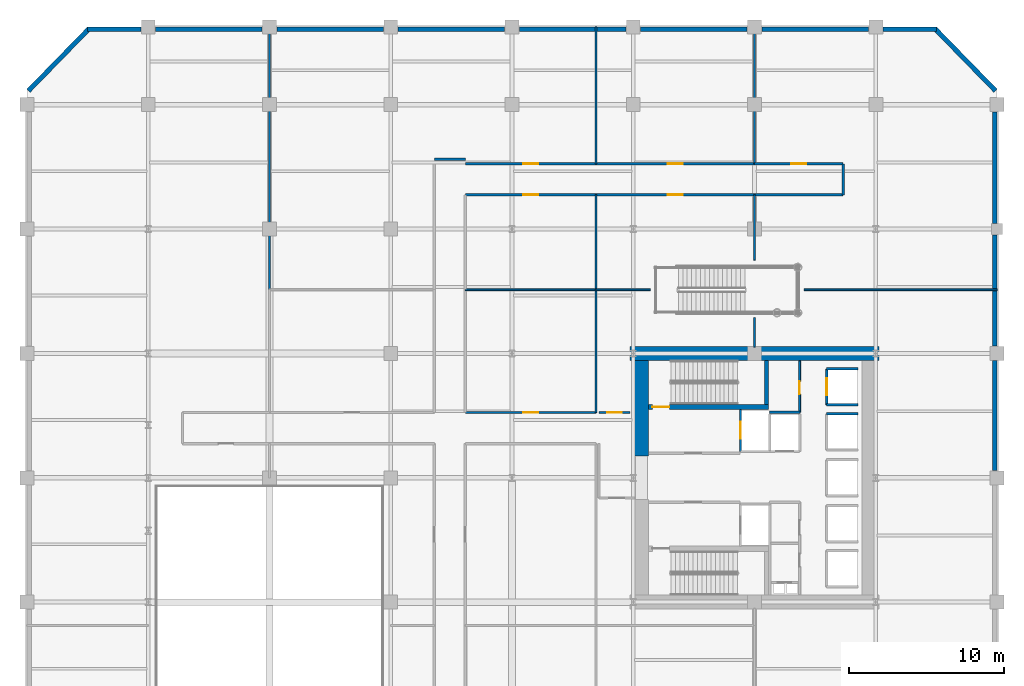
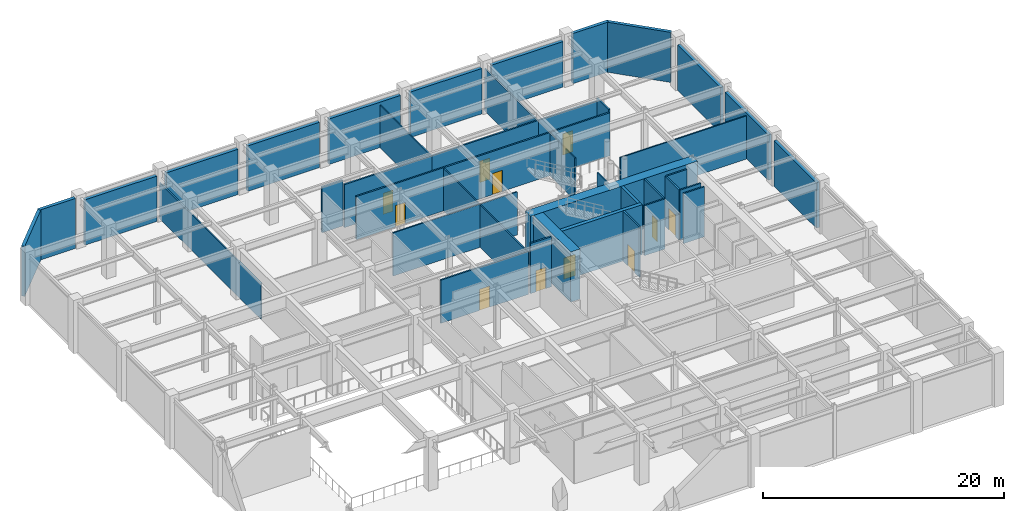
# One storey, part 10 of 13: 44 walls, 11 doors, 11 openings.
"""IFC4 building model written with IfcOpenShell, lengths in metres."""

import ifcopenshell
import ifcopenshell.guid

model = None  # the IFC model being written
_history = None  # IfcOwnerHistory: only IFC2X3 demands one
_inside = {}  # id of a spatial element -> (the spatial element, [elements in it])
_under = {}  # id of a project, library or spatial element -> (it, [spatial elements below it])
_declared = {}  # id of a project -> (the project, [libraries it declares])
_typed = {}  # id of a type object -> (the type object, [elements of that type])
_made_of = {}  # id of a material, layer set ... -> (it, [elements and type objects made of it])


def new_model(schema):
    """Start an empty IFC model of exactly this schema.

    Asked for "IFC4X3", IfcOpenShell would pick the latest addendum, in which some entities
    have other attributes; the version numbers below select the first issue.
    IFC2X3 requires an IfcOwnerHistory on every rooted entity: one is made here for all.
    """
    global model, _history
    if schema == "IFC4X3":
        model = ifcopenshell.file(schema_version=(4, 3, 0, 0))
    else:
        model = ifcopenshell.file(schema=schema)
    _inside.clear()
    _under.clear()
    _declared.clear()
    _typed.clear()
    _made_of.clear()
    _history = None
    if model.schema == "IFC2X3":
        org = make("IfcOrganization", Name="unknown")
        user = make(
            "IfcPersonAndOrganization",
            ThePerson=make("IfcPerson", FamilyName="unknown"),
            TheOrganization=org,
        )
        app = make(
            "IfcApplication",
            ApplicationDeveloper=org,
            Version="unknown",
            ApplicationFullName="unknown",
            ApplicationIdentifier="unknown",
        )
        _history = make(
            "IfcOwnerHistory",
            OwningUser=user,
            OwningApplication=app,
            ChangeAction="ADDED",
            CreationDate=0,
        )
    return model


def make(cls, **values):
    """One entity of the class cls with the attributes given. An attribute that is None is left unset."""
    return model.create_entity(
        cls, **{name: value for name, value in values.items() if value is not None}
    )


def rooted(cls, **values):
    """An entity with a GlobalId (a new one), such as an element, a storey or a relation."""
    return make(cls, GlobalId=ifcopenshell.guid.new(), OwnerHistory=_history, **values)


def si_unit(unit_type, name, prefix=None):
    """IfcSIUnit, for example si_unit("LENGTHUNIT", "METRE", prefix="MILLI")."""
    return make("IfcSIUnit", UnitType=unit_type, Prefix=prefix, Name=name)


def assignment(units):
    """IfcUnitAssignment: the units of a project."""
    return None if units is None else make("IfcUnitAssignment", Units=units)


def point(xyz):
    """IfcCartesianPoint."""
    return None if xyz is None else make("IfcCartesianPoint", Coordinates=xyz)


def direction(xyz):
    """IfcDirection."""
    return None if xyz is None else make("IfcDirection", DirectionRatios=xyz)


def frame(location, z_axis=None, x_axis=None):
    """IfcAxis2Placement3D, a coordinate frame: its origin and axes. An axis left out is left unset."""
    return make(
        "IfcAxis2Placement3D",
        Location=point(location),
        Axis=direction(z_axis),
        RefDirection=direction(x_axis),
    )


def frame_2d(location, x_axis=None):
    """IfcAxis2Placement2D, a coordinate frame in the plane: its origin and x axis."""
    return make(
        "IfcAxis2Placement2D", Location=point(location), RefDirection=direction(x_axis)
    )


def origin():
    """The frame at (0, 0, 0) with its axes left unset."""
    return frame((0.0, 0.0, 0.0))


def place(relative_to, where):
    """IfcLocalPlacement: puts the frame where relative to a parent placement (None: the world)."""
    return make(
        "IfcLocalPlacement", PlacementRelTo=relative_to, RelativePlacement=where
    )


def context(
    kind, dimensions, precision=None, world=None, true_north=None, identifier=None
):
    """IfcGeometricRepresentationContext, for example the 3D "Model" context."""
    return make(
        "IfcGeometricRepresentationContext",
        ContextIdentifier=identifier,
        ContextType=kind,
        CoordinateSpaceDimension=dimensions,
        Precision=precision,
        WorldCoordinateSystem=world,
        TrueNorth=true_north,
    )


def subcontext(parent, identifier, kind, view, scale=None):
    """IfcGeometricRepresentationSubContext, for example "Body" below "Model"."""
    return make(
        "IfcGeometricRepresentationSubContext",
        ContextIdentifier=identifier,
        ContextType=kind,
        ParentContext=parent,
        TargetScale=scale,
        TargetView=view,
    )


def project(units=None, contexts=None):
    """IfcProject with its units and contexts."""
    return rooted(
        "IfcProject",
        Name="project",
        RepresentationContexts=contexts,
        UnitsInContext=assignment(units),
    )


def spatial(cls, under=None, at=None, **own):
    """A site, building, storey or space (cls), placed at a placement, below another one or the project."""
    s = rooted(cls, ObjectPlacement=at, **own)
    if under is not None:
        _under.setdefault(under.id(), (under, []))[1].append(s)
    return s


def profile(cls, at=None, kind="AREA", **sizes):
    """A parametric profile (cls). Its sizes go by their IFC names, for example OverallWidth=200.0."""
    return make(cls, ProfileType=kind, Position=at, **sizes)


def rectangle(**sizes):
    """IfcRectangleProfileDef."""
    return profile("IfcRectangleProfileDef", **sizes)


def extrude(swept, where, along, depth):
    """IfcExtrudedAreaSolid: the profile swept, set in the frame where, extruded along a direction by depth."""
    return make(
        "IfcExtrudedAreaSolid",
        SweptArea=swept,
        Position=where,
        ExtrudedDirection=direction(along),
        Depth=depth,
    )


def shape(context_of_items, identifier, shape_type, items):
    """IfcShapeRepresentation: the items that make up one representation, for example the "Body"."""
    return make(
        "IfcShapeRepresentation",
        ContextOfItems=context_of_items,
        RepresentationIdentifier=identifier,
        RepresentationType=shape_type,
        Items=items,
    )


def material(Name=None, Category=None):
    """IfcMaterial."""
    return make("IfcMaterial", Name=Name, Category=Category)


def layer(
    of_material, thickness, ventilated=None, Name=None, Category=None, Priority=None
):
    """IfcMaterialLayer: one layer of a wall or slab, of a material (None: an air gap)."""
    return make(
        "IfcMaterialLayer",
        Material=of_material,
        LayerThickness=thickness,
        IsVentilated=ventilated,
        Name=Name,
        Category=Category,
        Priority=Priority,
    )


def layer_set(layers, Name=None):
    """IfcMaterialLayerSet."""
    return make("IfcMaterialLayerSet", MaterialLayers=layers, LayerSetName=Name)


def made_of(thing, what):
    """Note that an element or type object is made of a material, layer set ...; save() writes the relation."""
    if what is not None:
        _made_of.setdefault(what.id(), (what, []))[1].append(thing)
    return thing


def type_object(cls, material=None, **own):
    """A type object (cls), such as IfcWallType, which elements share."""
    return made_of(rooted(cls, **own), material)


def element(
    cls,
    number,
    at=None,
    inside=None,
    cuts=None,
    type_object=None,
    material=None,
    context=None,
    identifier="Body",
    shape_type=None,
    held_by="IfcProductDefinitionShape",
    body=None,
    shapes=None,
    **own,
):
    """One element of the class cls, such as IfcWall. Its Tag is "e" and its number.

    at: its placement. inside: the storey or other place that contains it. cuts: it is an
    opening in that element (IfcRelVoidsElement). A single representation is given by context,
    identifier, shape_type and body (its items); several are given by shapes. held_by: the class
    of the entity that holds the representations. save() writes the other relations.
    """
    e = rooted(cls, Tag="e%d" % number, ObjectPlacement=at, **own)
    if body is not None:
        shapes = [shape(context, identifier, shape_type, body)]
    if shapes is not None:
        e.Representation = make(held_by, Representations=shapes)
    if inside is not None:
        _inside.setdefault(inside.id(), (inside, []))[1].append(e)
    if cuts is not None:
        rooted(
            "IfcRelVoidsElement", RelatingBuildingElement=cuts, RelatedOpeningElement=e
        )
    if type_object is not None:
        _typed.setdefault(type_object.id(), (type_object, []))[1].append(e)
    return made_of(e, material)


def fill(opening, filler):
    """IfcRelFillsElement: the door or window that sits in an opening."""
    return rooted(
        "IfcRelFillsElement",
        RelatingOpeningElement=opening,
        RelatedBuildingElement=filler,
    )


def aggregate(whole, parts):
    """IfcRelAggregates: a whole, such as a stair, and the parts it consists of."""
    return rooted("IfcRelAggregates", RelatingObject=whole, RelatedObjects=parts)


def save(model, path):
    """Write the relations noted so far, then the file.

    IfcRelAggregates (storeys below a building ...), IfcRelContainedInSpatialStructure (elements
    in a storey), IfcRelDefinesByType, IfcRelAssociatesMaterial and IfcRelDeclares: one each for
    every whole, place, type object, material and project.
    """
    for whole, parts in _under.values():
        aggregate(whole, parts)
    for where, things in _inside.values():
        rooted(
            "IfcRelContainedInSpatialStructure",
            RelatedElements=things,
            RelatingStructure=where,
        )
    for kind, things in _typed.values():
        rooted("IfcRelDefinesByType", RelatedObjects=things, RelatingType=kind)
    for what, things in _made_of.values():
        rooted("IfcRelAssociatesMaterial", RelatedObjects=things, RelatingMaterial=what)
    for by, libraries in _declared.values():
        rooted("IfcRelDeclares", RelatingContext=by, RelatedDefinitions=libraries)
    model.write(path)


model = new_model("IFC4")

# Units and contexts
model_context = context("Model", 3, precision=1e-05, world=origin(), true_north=direction((0.0, 1.0)))
body_context = subcontext(model_context, "Body", "Model", "MODEL_VIEW")
ifc_project = project(units=[si_unit("LENGTHUNIT", "METRE"), si_unit("AREAUNIT", "SQUARE_METRE"), si_unit("VOLUMEUNIT", "CUBIC_METRE"), si_unit("PLANEANGLEUNIT", "RADIAN"), si_unit("MASSUNIT", "GRAM", prefix="KILO")], contexts=[model_context])

# Site, building, storey
site_placement = place(None, origin())
site = spatial("IfcSite", under=ifc_project, at=site_placement, CompositionType="ELEMENT")
building_placement = place(site_placement, origin())
building = spatial("IfcBuilding", under=site, at=building_placement, Name="Veymaron Broadcast Tower", CompositionType="ELEMENT")
storey_placement = place(building_placement, frame((0.0, 0.0, 21.60009765625)))
storey = spatial("IfcBuildingStorey", under=building, at=storey_placement, Name="L04", CompositionType="ELEMENT", Elevation=21.60009765625)

# Walls
ifc_material_1 = material(Name="Precast concrete C40/50 with mineral-wool insulation", Category="concrete")
ifc_layer_1 = layer(ifc_material_1, 0.300048828125)
ifc_layer_set_1 = layer_set([ifc_layer_1], Name="Precast concrete C40/50 with mineral-wool insulation")
wall_type_1 = type_object("IfcWallType", Name="WALL-EXT-300", PredefinedType="STANDARD", material=ifc_layer_set_1)
wall_1_placement = place(storey_placement, frame((62.260009765625, 24.468017578125, 0.0), z_axis=(0.0, 0.0, 1.0), x_axis=(0.0, 1.0, 0.0)))
element("IfcWall", 1, at=wall_1_placement, inside=storey, type_object=wall_type_1, Name="L04 notched corner facade pier 2-5", PredefinedType="STANDARD", context=body_context, shape_type="SweptSolid", body=[
    extrude(rectangle(XDim=7.06396484375, YDim=0.300048828125, at=frame_2d((3.531982421875, 0.0))), origin(), (0.0, 0.0, 1.0), 4.60791015625),
])
for number, where, z_axis, x_axis, name in (
    (2, (62.260009765625, 32.468017578125, 0.0), (0.0, 0.0, 1.0), (0.0, 1.0, 0.0), "L04 notched corner facade pier 2-6"),
    (3, (62.260009765625, 40.367919921875, 0.0), (0.0, 0.0, 1.0), (0.0, 1.0, 0.0), "L04 notched corner facade pier 2-7"),
):
    element("IfcWall", number, at=place(storey_placement, frame(where, z_axis=z_axis, x_axis=x_axis)), inside=storey, type_object=wall_type_1, Name=name, PredefinedType="STANDARD", context=body_context, shape_type="SweptSolid", body=[
        extrude(rectangle(XDim=7.1640625, YDim=0.300048828125, at=frame_2d((3.58203125, 0.0))), origin(), (0.0, 0.0, 1.0), 4.60791015625),
    ])
wall_2_placement = place(storey_placement, frame((62.2998046875, 48.90234375, 0.0), z_axis=(0.0, 0.0, 1.0), x_axis=(-0.698091174493, 0.716008877106, 0.0)))
element("IfcWall", 4, at=wall_2_placement, inside=storey, type_object=wall_type_1, Name="L04 notched corner facade pier 3-1", PredefinedType="STANDARD", context=body_context, shape_type="SweptSolid", body=[
    extrude(rectangle(XDim=5.58642578125, YDim=0.300048828125, at=frame_2d((2.793212890625, 0.0))), origin(), (0.0, 0.0, 1.0), 5.079833984375),
])
wall_3_placement = place(storey_placement, frame((58.5, 52.860107421875, 0.0), z_axis=(0.0, 0.0, 1.0), x_axis=(-1.0, 0.0, 0.0)))
element("IfcWall", 5, at=wall_3_placement, inside=storey, type_object=wall_type_1, Name="L04 notched corner facade pier 4-1", PredefinedType="STANDARD", context=body_context, shape_type="SweptSolid", body=[
    extrude(rectangle(XDim=3.431884765625, YDim=0.300048828125, at=frame_2d((1.7158203125, 0.0))), origin(), (0.0, 0.0, 1.0), 5.079833984375),
])
for number, where, z_axis, x_axis, name in (
    (6, (54.132080078125, 52.860107421875, 0.0), (0.0, 0.0, 1.0), (-1.0, 0.0, 0.0), "L04 notched corner facade pier 4-2"),
    (7, (46.33203125, 52.860107421875, 0.0), (0.0, 0.0, 1.0), (-1.0, 0.0, 0.0), "L04 notched corner facade pier 4-3"),
    (8, (38.531982421875, 52.860107421875, 0.0), (0.0, 0.0, 1.0), (-1.0, 0.0, 0.0), "L04 notched corner facade pier 4-4"),
    (9, (30.73193359375, 52.860107421875, 0.0), (0.0, 0.0, 1.0), (-1.0, 0.0, 0.0), "L04 notched corner facade pier 4-5"),
):
    element("IfcWall", number, at=place(storey_placement, frame(where, z_axis=z_axis, x_axis=x_axis)), inside=storey, type_object=wall_type_1, Name=name, PredefinedType="STANDARD", context=body_context, shape_type="SweptSolid", body=[
        extrude(rectangle(XDim=6.864013671875, YDim=0.300048828125, at=frame_2d((3.43212890625, 0.0))), origin(), (0.0, 0.0, 1.0), 4.60791015625),
    ])
wall_4_placement = place(storey_placement, frame((22.931884765625, 52.860107421875, 0.0), z_axis=(0.0, 0.0, 1.0), x_axis=(-1.0, 0.0, 0.0)))
element("IfcWall", 10, at=wall_4_placement, inside=storey, type_object=wall_type_1, Name="L04 notched corner facade pier 4-6", PredefinedType="STANDARD", context=body_context, shape_type="SweptSolid", body=[
    extrude(rectangle(XDim=6.86376953125, YDim=0.300048828125, at=frame_2d((3.431884765625, 0.0))), origin(), (0.0, 0.0, 1.0), 4.60791015625),
])
wall_5_placement = place(storey_placement, frame((15.132080078125, 52.860107421875, 0.0), z_axis=(0.0, 0.0, 1.0), x_axis=(-1.0, 0.0, 0.0)))
element("IfcWall", 11, at=wall_5_placement, inside=storey, type_object=wall_type_1, Name="L04 notched corner facade pier 4-7", PredefinedType="STANDARD", context=body_context, shape_type="SweptSolid", body=[
    extrude(rectangle(XDim=6.864013671875, YDim=0.300048828125, at=frame_2d((3.43212890625, 0.0))), origin(), (0.0, 0.0, 1.0), 4.60791015625),
])
wall_6_placement = place(storey_placement, frame((7.33203125, 52.860107421875, 0.0), z_axis=(0.0, 0.0, 1.0), x_axis=(-1.0, 0.0, 0.0)))
element("IfcWall", 12, at=wall_6_placement, inside=storey, type_object=wall_type_1, Name="L04 notched corner facade pier 4-8", PredefinedType="STANDARD", context=body_context, shape_type="SweptSolid", body=[
    extrude(rectangle(XDim=3.43212890625, YDim=0.300048828125, at=frame_2d((1.716064453125, 0.0))), origin(), (0.0, 0.0, 1.0), 5.079833984375),
])
wall_7_placement = place(storey_placement, frame((4.000244140625, 52.90234375, 0.0), z_axis=(0.0, 0.0, 1.0), x_axis=(-0.698113577969, -0.71598703358, 0.0)))
element("IfcWall", 13, at=wall_7_placement, inside=storey, type_object=wall_type_1, Name="L04 notched corner facade pier 5-1", PredefinedType="STANDARD", context=body_context, shape_type="SweptSolid", body=[
    extrude(rectangle(XDim=5.586669921875, YDim=0.300048828125, at=frame_2d((2.79345703125, 0.0))), origin(), (0.0, 0.0, 1.0), 5.079833984375),
])

# Wall, opening, door
ifc_material_2 = material(Name="Gypsum fireboard and steel stud framing", Category="steel")
ifc_layer_2 = layer(ifc_material_2, 0.14990234375)
ifc_layer_set_2 = layer_set([ifc_layer_2], Name="Gypsum fireboard and steel stud framing")
wall_type_2 = type_object("IfcWallType", Name="WALL-FIRE-150", PredefinedType="PARTITIONING", material=ifc_layer_set_2)
wall_8_placement = place(storey_placement, frame((45.89501953125, 25.68994140625, 0.0), z_axis=(0.0, 0.0, 1.0), x_axis=(0.0, 1.0, 0.0)))
wall_8 = element("IfcWall", 14, at=wall_8_placement, inside=storey, type_object=wall_type_2, Name="L04 partition IW-L04-SHW-FFL-1", PredefinedType="PARTITIONING", context=body_context, shape_type="SweptSolid", body=[
    extrude(rectangle(XDim=2.719970703125, YDim=0.14990234375, at=frame_2d((1.35986328125, 0.0))), origin(), (0.0, 0.0, 1.0), 5.079833984375),
])
opening_1_placement = place(wall_8_placement, frame((0.81005859375, 0.0, 0.0)))
opening_1 = element("IfcOpeningElement", 15, at=opening_1_placement, cuts=wall_8, Name="Opening LD", PredefinedType="OPENING", context=body_context, shape_type="SweptSolid", body=[
    extrude(rectangle(XDim=1.10009765625, YDim=2.14990234375, at=frame_2d((0.550048828125, 1.074951171875))), frame((0.0, 0.0849609375, 0.0), z_axis=(0.0, -1.0, 0.0), x_axis=(1.0, 0.0, 0.0)), (0.0, 0.0, 1.0), 0.169921875),
])
ifc_material_3 = material(Name="Brushed stainless steel AISI 304", Category="steel")
door_type_1 = type_object("IfcDoorType", Name="DOOR-LIFT-1100", OperationType="DOUBLE_DOOR_SLIDING", PredefinedType="DOOR", material=ifc_material_3)
door_1_placement = place(opening_1_placement, frame((1.10009765625, 0.0, 0.0), z_axis=(0.0, 0.0, 1.0), x_axis=(-1.0, 0.0, 0.0)))
door_1 = element("IfcDoor", 16, at=door_1_placement, inside=storey, type_object=door_type_1, Name="L04 door LD-L04-FFL-1", OperationType="DOUBLE_DOOR_SLIDING", OverallHeight=2.14990234375, OverallWidth=1.10009765625, PredefinedType="DOOR", context=body_context, shape_type="SweptSolid", body=[
    extrude(rectangle(XDim=1.10009765625, YDim=2.14990234375, at=frame_2d((0.550048828125, 1.074951171875))), frame((0.0, 0.02490234375, 0.0), z_axis=(0.0, -1.0, 0.0), x_axis=(1.0, 0.0, 0.0)), (0.0, 0.0, 1.0), 0.050048828125),
])
fill(opening_1, door_1)

wall_9_placement = place(storey_placement, frame((51.445068359375, 28.68994140625, 0.0), z_axis=(0.0, 0.0, 1.0), x_axis=(0.0, 1.0, 0.0)))
wall_9 = element("IfcWall", 17, at=wall_9_placement, inside=storey, type_object=wall_type_2, Name="L04 partition IW-L04-SHW-PL1", PredefinedType="PARTITIONING", context=body_context, shape_type="SweptSolid", body=[
    extrude(rectangle(XDim=2.320068359375, YDim=0.14990234375, at=frame_2d((1.16015625, 0.0))), origin(), (0.0, 0.0, 1.0), 5.079833984375),
])
opening_2_placement = place(wall_9_placement, frame((0.610107421875, 0.0, 0.0)))
opening_2 = element("IfcOpeningElement", 18, at=opening_2_placement, cuts=wall_9, Name="Opening LD", PredefinedType="OPENING", context=body_context, shape_type="SweptSolid", body=[
    extrude(rectangle(XDim=1.10009765625, YDim=2.14990234375, at=frame_2d((0.550048828125, 1.074951171875))), frame((0.0, 0.0849609375, 0.0), z_axis=(0.0, -1.0, 0.0), x_axis=(1.0, 0.0, 0.0)), (0.0, 0.0, 1.0), 0.169921875),
])
door_2_placement = place(opening_2_placement, frame((1.10009765625, 0.0, 0.0), z_axis=(0.0, 0.0, 1.0), x_axis=(-1.0, 0.0, 0.0)))
door_2 = element("IfcDoor", 19, at=door_2_placement, inside=storey, type_object=door_type_1, Name="L04 door LD-L04-PL1", OperationType="DOUBLE_DOOR_SLIDING", OverallHeight=2.14990234375, OverallWidth=1.10009765625, PredefinedType="DOOR", context=body_context, shape_type="SweptSolid", body=[
    extrude(rectangle(XDim=1.10009765625, YDim=2.14990234375, at=frame_2d((0.550048828125, 1.074951171875))), frame((0.0, 0.02490234375, 0.0), z_axis=(0.0, -1.0, 0.0), x_axis=(1.0, 0.0, 0.0)), (0.0, 0.0, 1.0), 0.050048828125),
])
fill(opening_2, door_2)

# Walls
for number, where, z_axis, x_axis, name in (
    (20, (51.445068359375, 28.68994140625, 0.0), (0.0, 0.0, 1.0), (1.0, 0.0, 0.0), "L04 partition IW-L04-SHS-PL1"),
    (21, (51.445068359375, 31.010009765625, 0.0), (0.0, 0.0, 1.0), (1.0, 0.0, 0.0), "L04 partition IW-L04-SHN-PL1"),
    (22, (51.445068359375, 28.110107421875, 0.0), (0.0, 0.0, 1.0), (1.0, 0.0, 0.0), "L04 partition IW-L04-SHN-PM1"),
):
    element("IfcWall", number, at=place(storey_placement, frame(where, z_axis=z_axis, x_axis=x_axis)), inside=storey, type_object=wall_type_2, Name=name, PredefinedType="PARTITIONING", context=body_context, shape_type="SweptSolid", body=[
        extrude(rectangle(XDim=2.014892578125, YDim=0.14990234375, at=frame_2d((1.00732421875, 0.0))), origin(), (0.0, 0.0, 1.0), 5.079833984375),
    ])
wall_10_placement = place(storey_placement, frame((47.760009765625, 28.219970703125, 0.0), z_axis=(0.0, 0.0, 1.0), x_axis=(1.0, 0.0, 0.0)))
element("IfcWall", 23, at=wall_10_placement, inside=storey, type_object=wall_type_2, Name="L04 partition IW-L04-NM-S", PredefinedType="PARTITIONING", context=body_context, shape_type="SweptSolid", body=[
    extrude(rectangle(XDim=1.9599609375, YDim=0.14990234375, at=frame_2d((0.97998046875, 0.0))), origin(), (0.0, 0.0, 1.0), 5.079833984375),
])

# Wall, opening, door
wall_11_placement = place(storey_placement, frame((28.199951171875, 28.199951171875, 0.0), z_axis=(0.0, 0.0, 1.0), x_axis=(1.0, 0.0, 0.0)))
wall_11 = element("IfcWall", 24, at=wall_11_placement, inside=storey, type_object=wall_type_2, Name="L04 partition IW-L04-P18", PredefinedType="PARTITIONING", context=body_context, shape_type="SweptSolid", body=[
    extrude(rectangle(XDim=8.400146484375, YDim=0.14990234375, at=frame_2d((4.2001953125, 0.0))), origin(), (0.0, 0.0, 1.0), 4.375),
])
opening_3_placement = place(wall_11_placement, frame((3.72509765625, 0.0, 0.0)))
opening_3 = element("IfcOpeningElement", 25, at=opening_3_placement, cuts=wall_11, Name="Opening ID-RM1", PredefinedType="OPENING", context=body_context, shape_type="SweptSolid", body=[
    extrude(rectangle(XDim=0.949951171875, YDim=2.14990234375, at=frame_2d((0.47509765625, 1.074951171875))), frame((0.0, 0.0849609375, 0.0), z_axis=(0.0, -1.0, 0.0), x_axis=(1.0, 0.0, 0.0)), (0.0, 0.0, 1.0), 0.169921875),
])
ifc_material_4 = material(Name="Acoustic solid-core European oak veneer timber", Category="wood")
door_type_2 = type_object("IfcDoorType", Name="DOOR-INT-950", OperationType="NOTDEFINED", PredefinedType="DOOR", material=ifc_material_4)
door_3_placement = place(opening_3_placement, origin())
door_3 = element("IfcDoor", 26, at=door_3_placement, inside=storey, type_object=door_type_2, Name="L04 door DR-L04-P18", OperationType="SINGLE_SWING_LEFT", OverallHeight=2.14990234375, OverallWidth=0.949951171875, PredefinedType="DOOR", context=body_context, shape_type="SweptSolid", body=[
    extrude(rectangle(XDim=0.949951171875, YDim=2.14990234375, at=frame_2d((0.47509765625, 1.074951171875))), frame((0.0, 0.02490234375, 0.0), z_axis=(0.0, -1.0, 0.0), x_axis=(1.0, 0.0, 0.0)), (0.0, 0.0, 1.0), 0.050048828125),
])
fill(opening_3, door_3)

wall_12_placement = place(storey_placement, frame((36.800048828125, 28.199951171875, 0.0), z_axis=(0.0, 0.0, 1.0), x_axis=(1.0, 0.0, 0.0)))
wall_12 = element("IfcWall", 27, at=wall_12_placement, inside=storey, type_object=wall_type_2, Name="L04 partition IW-L04-P20", PredefinedType="PARTITIONING", context=body_context, shape_type="SweptSolid", body=[
    extrude(rectangle(XDim=2.0, YDim=0.14990234375, at=frame_2d((1.0, 0.0))), origin(), (0.0, 0.0, 1.0), 5.079833984375),
])
opening_4_placement = place(wall_12_placement, frame((0.52490234375, 0.0, 0.0)))
opening_4 = element("IfcOpeningElement", 28, at=opening_4_placement, cuts=wall_12, Name="Opening ID-RM1", PredefinedType="OPENING", context=body_context, shape_type="SweptSolid", body=[
    extrude(rectangle(XDim=0.949951171875, YDim=2.14990234375, at=frame_2d((0.47509765625, 1.074951171875))), frame((0.0, 0.0849609375, 0.0), z_axis=(0.0, -1.0, 0.0), x_axis=(1.0, 0.0, 0.0)), (0.0, 0.0, 1.0), 0.169921875),
])
door_4_placement = place(opening_4_placement, origin())
door_4 = element("IfcDoor", 29, at=door_4_placement, inside=storey, type_object=door_type_2, Name="L04 door DR-L04-P20", OperationType="SINGLE_SWING_LEFT", OverallHeight=2.14990234375, OverallWidth=0.949951171875, PredefinedType="DOOR", context=body_context, shape_type="SweptSolid", body=[
    extrude(rectangle(XDim=0.949951171875, YDim=2.14990234375, at=frame_2d((0.47509765625, 1.074951171875))), frame((0.0, 0.02490234375, 0.0), z_axis=(0.0, -1.0, 0.0), x_axis=(1.0, 0.0, 0.0)), (0.0, 0.0, 1.0), 0.050048828125),
])
fill(opening_4, door_4)

wall_13_placement = place(storey_placement, frame((28.199951171875, 42.199951171875, 0.0), z_axis=(0.0, 0.0, 1.0), x_axis=(1.0, 0.0, 0.0)))
wall_13 = element("IfcWall", 30, at=wall_13_placement, inside=storey, type_object=wall_type_2, Name="L04 partition IW-L04-P24", PredefinedType="PARTITIONING", context=body_context, shape_type="SweptSolid", body=[
    extrude(rectangle(XDim=8.400146484375, YDim=0.14990234375, at=frame_2d((4.2001953125, 0.0))), origin(), (0.0, 0.0, 1.0), 4.375),
])
opening_5_placement = place(wall_13_placement, frame((3.72509765625, 0.0, 0.0)))
opening_5 = element("IfcOpeningElement", 31, at=opening_5_placement, cuts=wall_13, Name="Opening ID-RM1", PredefinedType="OPENING", context=body_context, shape_type="SweptSolid", body=[
    extrude(rectangle(XDim=0.949951171875, YDim=2.14990234375, at=frame_2d((0.47509765625, 1.074951171875))), frame((0.0, 0.0849609375, 0.0), z_axis=(0.0, -1.0, 0.0), x_axis=(1.0, 0.0, 0.0)), (0.0, 0.0, 1.0), 0.169921875),
])
door_5_placement = place(opening_5_placement, frame((0.949951171875, 0.0, 0.0), z_axis=(0.0, 0.0, 1.0), x_axis=(-1.0, 0.0, 0.0)))
door_5 = element("IfcDoor", 32, at=door_5_placement, inside=storey, type_object=door_type_2, Name="L04 door DR-L04-P24", OperationType="SINGLE_SWING_LEFT", OverallHeight=2.14990234375, OverallWidth=0.949951171875, PredefinedType="DOOR", context=body_context, shape_type="SweptSolid", body=[
    extrude(rectangle(XDim=0.949951171875, YDim=2.14990234375, at=frame_2d((0.47509765625, 1.074951171875))), frame((0.0, 0.02490234375, 0.0), z_axis=(0.0, -1.0, 0.0), x_axis=(1.0, 0.0, 0.0)), (0.0, 0.0, 1.0), 0.050048828125),
])
fill(opening_5, door_5)

wall_14_placement = place(storey_placement, frame((36.60009765625, 42.199951171875, 0.0), z_axis=(0.0, 0.0, 1.0), x_axis=(1.0, 0.0, 0.0)))
wall_14 = element("IfcWall", 33, at=wall_14_placement, inside=storey, type_object=wall_type_2, Name="L04 partition IW-L04-P26", PredefinedType="PARTITIONING", context=body_context, shape_type="SweptSolid", body=[
    extrude(rectangle(XDim=10.199951171875, YDim=0.14990234375, at=frame_2d((5.10009765625, 0.0))), origin(), (0.0, 0.0, 1.0), 4.375),
])
opening_6_placement = place(wall_14_placement, frame((4.625, 0.0, 0.0)))
opening_6 = element("IfcOpeningElement", 34, at=opening_6_placement, cuts=wall_14, Name="Opening ID-RM1", PredefinedType="OPENING", context=body_context, shape_type="SweptSolid", body=[
    extrude(rectangle(XDim=0.949951171875, YDim=2.14990234375, at=frame_2d((0.47509765625, 1.074951171875))), frame((0.0, 0.0849609375, 0.0), z_axis=(0.0, -1.0, 0.0), x_axis=(1.0, 0.0, 0.0)), (0.0, 0.0, 1.0), 0.169921875),
])
door_6_placement = place(opening_6_placement, frame((0.949951171875, 0.0, 0.0), z_axis=(0.0, 0.0, 1.0), x_axis=(-1.0, 0.0, 0.0)))
door_6 = element("IfcDoor", 35, at=door_6_placement, inside=storey, type_object=door_type_2, Name="L04 door DR-L04-P26", OperationType="SINGLE_SWING_LEFT", OverallHeight=2.14990234375, OverallWidth=0.949951171875, PredefinedType="DOOR", context=body_context, shape_type="SweptSolid", body=[
    extrude(rectangle(XDim=0.949951171875, YDim=2.14990234375, at=frame_2d((0.47509765625, 1.074951171875))), frame((0.0, 0.02490234375, 0.0), z_axis=(0.0, -1.0, 0.0), x_axis=(1.0, 0.0, 0.0)), (0.0, 0.0, 1.0), 0.050048828125),
])
fill(opening_6, door_6)

wall_15_placement = place(storey_placement, frame((46.800048828125, 44.199951171875, 0.0), z_axis=(0.0, 0.0, 1.0), x_axis=(1.0, 0.0, 0.0)))
wall_15 = element("IfcWall", 36, at=wall_15_placement, inside=storey, type_object=wall_type_2, Name="L04 partition IW-L04-P27", PredefinedType="PARTITIONING", context=body_context, shape_type="SweptSolid", body=[
    extrude(rectangle(XDim=5.699951171875, YDim=0.14990234375, at=frame_2d((2.85009765625, 0.0))), origin(), (0.0, 0.0, 1.0), 4.375),
])
opening_7_placement = place(wall_15_placement, frame((2.375, 0.0, 0.0)))
opening_7 = element("IfcOpeningElement", 37, at=opening_7_placement, cuts=wall_15, Name="Opening ID-RM1", PredefinedType="OPENING", context=body_context, shape_type="SweptSolid", body=[
    extrude(rectangle(XDim=0.949951171875, YDim=2.14990234375, at=frame_2d((0.47509765625, 1.074951171875))), frame((0.0, 0.0849609375, 0.0), z_axis=(0.0, -1.0, 0.0), x_axis=(1.0, 0.0, 0.0)), (0.0, 0.0, 1.0), 0.169921875),
])
door_7_placement = place(opening_7_placement, origin())
door_7 = element("IfcDoor", 38, at=door_7_placement, inside=storey, type_object=door_type_2, Name="L04 door DR-L04-P27", OperationType="SINGLE_SWING_RIGHT", OverallHeight=2.14990234375, OverallWidth=0.949951171875, PredefinedType="DOOR", context=body_context, shape_type="SweptSolid", body=[
    extrude(rectangle(XDim=0.949951171875, YDim=2.14990234375, at=frame_2d((0.47509765625, 1.074951171875))), frame((0.0, 0.02490234375, 0.0), z_axis=(0.0, -1.0, 0.0), x_axis=(1.0, 0.0, 0.0)), (0.0, 0.0, 1.0), 0.050048828125),
])
fill(opening_7, door_7)

wall_16_placement = place(storey_placement, frame((28.199951171875, 44.199951171875, 0.0), z_axis=(0.0, 0.0, 1.0), x_axis=(1.0, 0.0, 0.0)))
wall_16 = element("IfcWall", 39, at=wall_16_placement, inside=storey, type_object=wall_type_2, Name="L04 partition IW-L04-P30", PredefinedType="PARTITIONING", context=body_context, shape_type="SweptSolid", body=[
    extrude(rectangle(XDim=8.400146484375, YDim=0.14990234375, at=frame_2d((4.2001953125, 0.0))), origin(), (0.0, 0.0, 1.0), 4.375),
])
opening_8_placement = place(wall_16_placement, frame((3.72509765625, 0.0, 0.0)))
opening_8 = element("IfcOpeningElement", 40, at=opening_8_placement, cuts=wall_16, Name="Opening ID-RM1", PredefinedType="OPENING", context=body_context, shape_type="SweptSolid", body=[
    extrude(rectangle(XDim=0.949951171875, YDim=2.14990234375, at=frame_2d((0.47509765625, 1.074951171875))), frame((0.0, 0.0849609375, 0.0), z_axis=(0.0, -1.0, 0.0), x_axis=(1.0, 0.0, 0.0)), (0.0, 0.0, 1.0), 0.169921875),
])
door_8_placement = place(opening_8_placement, origin())
door_8 = element("IfcDoor", 41, at=door_8_placement, inside=storey, type_object=door_type_2, Name="L04 door DR-L04-P30", OperationType="SINGLE_SWING_LEFT", OverallHeight=2.14990234375, OverallWidth=0.949951171875, PredefinedType="DOOR", context=body_context, shape_type="SweptSolid", body=[
    extrude(rectangle(XDim=0.949951171875, YDim=2.14990234375, at=frame_2d((0.47509765625, 1.074951171875))), frame((0.0, 0.02490234375, 0.0), z_axis=(0.0, -1.0, 0.0), x_axis=(1.0, 0.0, 0.0)), (0.0, 0.0, 1.0), 0.050048828125),
])
fill(opening_8, door_8)

wall_17_placement = place(storey_placement, frame((36.60009765625, 44.199951171875, 0.0), z_axis=(0.0, 0.0, 1.0), x_axis=(1.0, 0.0, 0.0)))
wall_17 = element("IfcWall", 42, at=wall_17_placement, inside=storey, type_object=wall_type_2, Name="L04 partition IW-L04-P33", PredefinedType="PARTITIONING", context=body_context, shape_type="SweptSolid", body=[
    extrude(rectangle(XDim=10.199951171875, YDim=0.14990234375, at=frame_2d((5.10009765625, 0.0))), origin(), (0.0, 0.0, 1.0), 4.375),
])
opening_9_placement = place(wall_17_placement, frame((4.625, 0.0, 0.0)))
opening_9 = element("IfcOpeningElement", 43, at=opening_9_placement, cuts=wall_17, Name="Opening ID-RM1", PredefinedType="OPENING", context=body_context, shape_type="SweptSolid", body=[
    extrude(rectangle(XDim=0.949951171875, YDim=2.14990234375, at=frame_2d((0.47509765625, 1.074951171875))), frame((0.0, 0.0849609375, 0.0), z_axis=(0.0, -1.0, 0.0), x_axis=(1.0, 0.0, 0.0)), (0.0, 0.0, 1.0), 0.169921875),
])
door_9_placement = place(opening_9_placement, origin())
door_9 = element("IfcDoor", 44, at=door_9_placement, inside=storey, type_object=door_type_2, Name="L04 door DR-L04-P33", OperationType="SINGLE_SWING_RIGHT", OverallHeight=2.14990234375, OverallWidth=0.949951171875, PredefinedType="DOOR", context=body_context, shape_type="SweptSolid", body=[
    extrude(rectangle(XDim=0.949951171875, YDim=2.14990234375, at=frame_2d((0.47509765625, 1.074951171875))), frame((0.0, 0.02490234375, 0.0), z_axis=(0.0, -1.0, 0.0), x_axis=(1.0, 0.0, 0.0)), (0.0, 0.0, 1.0), 0.050048828125),
])
fill(opening_9, door_9)

# Walls
wall_18_placement = place(storey_placement, frame((46.800048828125, 42.199951171875, 0.0), z_axis=(0.0, 0.0, 1.0), x_axis=(1.0, 0.0, 0.0)))
element("IfcWall", 45, at=wall_18_placement, inside=storey, type_object=wall_type_2, Name="L04 partition IW-L04-P28", PredefinedType="PARTITIONING", context=body_context, shape_type="SweptSolid", body=[
    extrude(rectangle(XDim=5.699951171875, YDim=0.14990234375, at=frame_2d((2.85009765625, 0.0))), origin(), (0.0, 0.0, 1.0), 4.375),
])
for number, where, z_axis, x_axis, name in (
    (46, (52.5, 42.199951171875, 0.0), (0.0, 0.0, 1.0), (0.0, 1.0, 0.0), "L04 partition IW-L04-P29"),
    (47, (26.199951171875, 44.5, 0.0), (0.0, 0.0, 1.0), (1.0, 0.0, 0.0), "L04 partition IW-L04-P32"),
):
    element("IfcWall", number, at=place(storey_placement, frame(where, z_axis=z_axis, x_axis=x_axis)), inside=storey, type_object=wall_type_2, Name=name, PredefinedType="PARTITIONING", context=body_context, shape_type="SweptSolid", body=[
        extrude(rectangle(XDim=2.0, YDim=0.14990234375, at=frame_2d((1.0, 0.0))), origin(), (0.0, 0.0, 1.0), 4.660888671875),
    ])

# Wall, opening, door
ifc_material_5 = material(Name="Acoustic gypsum board and galvanized stud", Category="gypsum")
ifc_layer_3 = layer(ifc_material_5, 0.1201171875)
ifc_layer_set_3 = layer_set([ifc_layer_3], Name="Acoustic gypsum board and galvanized stud")
wall_type_3 = type_object("IfcWallType", Name="WALL-PART-120", PredefinedType="PARTITIONING", material=ifc_layer_set_3)
wall_19_placement = place(storey_placement, frame((49.699951171875, 28.219970703125, 0.0), z_axis=(0.0, 0.0, 1.0), x_axis=(0.0, 1.0, 0.0)))
wall_19 = element("IfcWall", 48, at=wall_19_placement, inside=storey, type_object=wall_type_3, Name="L04 partition IW-L04-NM-E", PredefinedType="PARTITIONING", context=body_context, shape_type="SweptSolid", body=[
    extrude(rectangle(XDim=3.300048828125, YDim=0.1201171875, at=frame_2d((1.64990234375, 0.0))), origin(), (0.0, 0.0, 1.0), 5.079833984375),
])
opening_10_placement = place(wall_19_placement, frame((1.14990234375, 0.0, 0.0)))
opening_10 = element("IfcOpeningElement", 49, at=opening_10_placement, cuts=wall_19, Name="Opening ID-WC1", PredefinedType="OPENING", context=body_context, shape_type="SweptSolid", body=[
    extrude(rectangle(XDim=0.85009765625, YDim=2.14990234375, at=frame_2d((0.425048828125, 1.074951171875))), frame((0.0, 0.070068359375, 0.0), z_axis=(0.0, -1.0, 0.0), x_axis=(1.0, 0.0, 0.0)), (0.0, 0.0, 1.0), 0.14013671875),
])
ifc_material_6 = material(Name="Moisture-resistant high-pressure laminate timber", Category="wood")
door_type_3 = type_object("IfcDoorType", Name="DOOR-INT-850", OperationType="NOTDEFINED", PredefinedType="DOOR", material=ifc_material_6)
door_10_placement = place(opening_10_placement, frame((0.85009765625, 0.0, 0.0), z_axis=(0.0, 0.0, 1.0), x_axis=(-1.0, 0.0, 0.0)))
door_10 = element("IfcDoor", 50, at=door_10_placement, inside=storey, type_object=door_type_3, Name="L04 door DR-L04-NMR", OperationType="SINGLE_SWING_LEFT", OverallHeight=2.14990234375, OverallWidth=0.85009765625, PredefinedType="DOOR", context=body_context, shape_type="SweptSolid", body=[
    extrude(rectangle(XDim=0.85009765625, YDim=2.14990234375, at=frame_2d((0.425048828125, 1.074951171875))), frame((0.0, 0.02490234375, 0.0), z_axis=(0.0, -1.0, 0.0), x_axis=(1.0, 0.0, 0.0)), (0.0, 0.0, 1.0), 0.050048828125),
])
fill(opening_10, door_10)

# Walls
wall_20_placement = place(storey_placement, frame((46.800048828125, 32.39990234375, 0.0), z_axis=(0.0, 0.0, 1.0), x_axis=(0.0, 1.0, 0.0)))
element("IfcWall", 51, at=wall_20_placement, inside=storey, type_object=wall_type_3, Name="L04 partition IW-L04-P43", PredefinedType="PARTITIONING", context=body_context, shape_type="SweptSolid", body=[
    extrude(rectangle(XDim=1.900146484375, YDim=0.1201171875, at=frame_2d((0.9501953125, 0.0))), origin(), (0.0, 0.0, 1.0), 5.079833984375),
])
wall_21_placement = place(storey_placement, frame((50.0, 36.10009765625, 0.0), z_axis=(0.0, 0.0, 1.0), x_axis=(1.0, 0.0, 0.0)))
element("IfcWall", 52, at=wall_21_placement, inside=storey, type_object=wall_type_3, Name="L04 partition IW-L04-P44", PredefinedType="PARTITIONING", context=body_context, shape_type="SweptSolid", body=[
    extrude(rectangle(XDim=12.39990234375, YDim=0.1201171875, at=frame_2d((6.199951171875, 0.0))), origin(), (0.0, 0.0, 1.0), 4.375),
])
wall_22_placement = place(storey_placement, frame((36.60009765625, 28.199951171875, 0.0), z_axis=(0.0, 0.0, 1.0), x_axis=(0.0, 1.0, 0.0)))
element("IfcWall", 53, at=wall_22_placement, inside=storey, type_object=wall_type_3, Name="L04 partition IW-L04-P49", PredefinedType="PARTITIONING", context=body_context, shape_type="SweptSolid", body=[
    extrude(rectangle(XDim=7.900146484375, YDim=0.1201171875, at=frame_2d((3.9501953125, 0.0))), origin(), (0.0, 0.0, 1.0), 4.2978515625),
])
wall_23_placement = place(storey_placement, frame((28.199951171875, 36.10009765625, 0.0), z_axis=(0.0, 0.0, 1.0), x_axis=(1.0, 0.0, 0.0)))
element("IfcWall", 54, at=wall_23_placement, inside=storey, type_object=wall_type_3, Name="L04 partition IW-L04-P50", PredefinedType="PARTITIONING", context=body_context, shape_type="SweptSolid", body=[
    extrude(rectangle(XDim=8.400146484375, YDim=0.1201171875, at=frame_2d((4.2001953125, 0.0))), origin(), (0.0, 0.0, 1.0), 4.375),
])
wall_24_placement = place(storey_placement, frame((36.60009765625, 36.10009765625, 0.0), z_axis=(0.0, 0.0, 1.0), x_axis=(1.0, 0.0, 0.0)))
element("IfcWall", 55, at=wall_24_placement, inside=storey, type_object=wall_type_3, Name="L04 partition IW-L04-P51", PredefinedType="PARTITIONING", context=body_context, shape_type="SweptSolid", body=[
    extrude(rectangle(XDim=3.5, YDim=0.1201171875, at=frame_2d((1.75, 0.0))), origin(), (0.0, 0.0, 1.0), 4.375),
])
wall_25_placement = place(storey_placement, frame((15.60009765625, 36.10009765625, 0.0), z_axis=(0.0, 0.0, 1.0), x_axis=(0.0, 1.0, 0.0)))
element("IfcWall", 56, at=wall_25_placement, inside=storey, type_object=wall_type_3, Name="L04 partition IW-L04-P52", PredefinedType="PARTITIONING", context=body_context, shape_type="SweptSolid", body=[
    extrude(rectangle(XDim=16.89990234375, YDim=0.1201171875, at=frame_2d((8.449951171875, 0.0))), origin(), (0.0, 0.0, 1.0), 3.64794921875),
])
wall_26_placement = place(storey_placement, frame((36.60009765625, 36.10009765625, 0.0), z_axis=(0.0, 0.0, 1.0), x_axis=(0.0, 1.0, 0.0)))
element("IfcWall", 57, at=wall_26_placement, inside=storey, type_object=wall_type_3, Name="L04 partition IW-L04-P53", PredefinedType="PARTITIONING", context=body_context, shape_type="SweptSolid", body=[
    extrude(rectangle(XDim=6.099853515625, YDim=0.1201171875, at=frame_2d((3.0498046875, 0.0))), origin(), (0.0, 0.0, 1.0), 4.2978515625),
])
wall_27_placement = place(storey_placement, frame((46.800048828125, 38.0, 0.0), z_axis=(0.0, 0.0, 1.0), x_axis=(0.0, 1.0, 0.0)))
element("IfcWall", 58, at=wall_27_placement, inside=storey, type_object=wall_type_3, Name="L04 partition IW-L04-P54", PredefinedType="PARTITIONING", context=body_context, shape_type="SweptSolid", body=[
    extrude(rectangle(XDim=4.199951171875, YDim=0.1201171875, at=frame_2d((2.10009765625, 0.0))), origin(), (0.0, 0.0, 1.0), 4.2978515625),
])
for number, where, z_axis, x_axis, name in (
    (59, (46.800048828125, 44.199951171875, 0.0), (0.0, 0.0, 1.0), (0.0, 1.0, 0.0), "L04 partition IW-L04-P55"),
    (60, (36.60009765625, 44.199951171875, 0.0), (0.0, 0.0, 1.0), (0.0, 1.0, 0.0), "L04 partition IW-L04-P56"),
):
    element("IfcWall", number, at=place(storey_placement, frame(where, z_axis=z_axis, x_axis=x_axis)), inside=storey, type_object=wall_type_3, Name=name, PredefinedType="PARTITIONING", context=body_context, shape_type="SweptSolid", body=[
        extrude(rectangle(XDim=8.800048828125, YDim=0.1201171875, at=frame_2d((4.39990234375, 0.0))), origin(), (0.0, 0.0, 1.0), 4.2978515625),
    ])
ifc_material_7 = material(Name="Concrete C50/60", Category="concrete")
ifc_layer_4 = layer(ifc_material_7, 0.25)
ifc_layer_set_4 = layer_set([ifc_layer_4], Name="Concrete C50/60")
wall_type_4 = type_object("IfcWallType", Name="WALL-SHEAR-250", PredefinedType="SHEAR", material=ifc_layer_set_4)
wall_28_placement = place(storey_placement, frame((47.56494140625, 28.72998046875, 0.0), z_axis=(0.0, 0.0, 1.0), x_axis=(0.0, 1.0, 0.0)))
element("IfcWall", 61, at=wall_28_placement, inside=storey, type_object=wall_type_4, Name="L04 Core Wall north stair east shear", PredefinedType="SHEAR", context=body_context, shape_type="SweptSolid", body=[
    extrude(rectangle(XDim=2.820068359375, YDim=0.25, at=frame_2d((1.41015625, 0.0))), origin(), (0.0, 0.0, 1.0), 5.079833984375),
])

# Wall, opening, door
ifc_layer_5 = layer(ifc_material_7, 0.35009765625)
ifc_layer_set_5 = layer_set([ifc_layer_5], Name="Concrete C50/60")
wall_type_5 = type_object("IfcWallType", Name="WALL-SHEAR-350", PredefinedType="SHEAR", material=ifc_layer_set_5)
wall_29_placement = place(storey_placement, frame((39.97998046875, 28.554931640625, 0.0), z_axis=(0.0, 0.0, 1.0), x_axis=(1.0, 0.0, 0.0)))
wall_29 = element("IfcWall", 62, at=wall_29_placement, inside=storey, type_object=wall_type_5, Name="L04 Core Wall north stair spine", PredefinedType="SHEAR", context=body_context, shape_type="SweptSolid", body=[
    extrude(rectangle(XDim=7.7099609375, YDim=0.35009765625, at=frame_2d((3.85498046875, 0.0))), origin(), (0.0, 0.0, 1.0), 5.079833984375),
])
opening_11_placement = place(wall_29_placement, frame((0.25, 0.0, 0.0)))
opening_11 = element("IfcOpeningElement", 63, at=opening_11_placement, cuts=wall_29, Name="Opening ID-ST1", PredefinedType="OPENING", context=body_context, shape_type="SweptSolid", body=[
    extrude(rectangle(XDim=1.10009765625, YDim=2.14990234375, at=frame_2d((0.550048828125, 1.074951171875))), frame((0.0, 0.18505859375, 0.0), z_axis=(0.0, -1.0, 0.0), x_axis=(1.0, 0.0, 0.0)), (0.0, 0.0, 1.0), 0.3701171875),
])
ifc_material_8 = material(Name="Fire-rated painted hollow steel ASTM A653", Category="steel")
door_type_4 = type_object("IfcDoorType", Name="DOOR-STAIR-1100", OperationType="NOTDEFINED", PredefinedType="DOOR", material=ifc_material_8)
door_11_placement = place(opening_11_placement, origin())
door_11 = element("IfcDoor", 64, at=door_11_placement, inside=storey, type_object=door_type_4, Name="L04 exit stair ST1 fire door", OperationType="SINGLE_SWING_LEFT", OverallHeight=2.14990234375, OverallWidth=1.10009765625, PredefinedType="DOOR", context=body_context, shape_type="SweptSolid", body=[
    extrude(rectangle(XDim=1.10009765625, YDim=2.14990234375, at=frame_2d((0.550048828125, 1.074951171875))), frame((0.0, 0.02490234375, 0.0), z_axis=(0.0, -1.0, 0.0), x_axis=(1.0, 0.0, 0.0)), (0.0, 0.0, 1.0), 0.050048828125),
])
fill(opening_11, door_11)

# Walls
ifc_material_9 = material(Name="Concrete C70/85", Category="concrete")
ifc_layer_6 = layer(ifc_material_9, 0.89990234375)
ifc_layer_set_6 = layer_set([ifc_layer_6], Name="Concrete C70/85")
wall_type_6 = type_object("IfcWallType", Name="WALL-SHEAR-900", PredefinedType="SHEAR", material=ifc_layer_set_6)
wall_30_placement = place(storey_placement, frame((38.800048828125, 32.0, 0.0), z_axis=(0.0, 0.0, 1.0), x_axis=(1.0, 0.0, 0.0)))
element("IfcWall", 65, at=wall_30_placement, inside=storey, type_object=wall_type_6, Name="L04 Core Wall north shear", PredefinedType="SHEAR", context=body_context, shape_type="SweptSolid", body=[
    extrude(rectangle(XDim=16.0, YDim=0.89990234375, at=frame_2d((8.0, 0.0))), origin(), (0.0, 0.0, 1.0), 5.079833984375),
])
wall_31_placement = place(storey_placement, frame((39.530029296875, 25.39990234375, 0.0), z_axis=(0.0, 0.0, 1.0), x_axis=(0.0, 1.0, 0.0)))
element("IfcWall", 66, at=wall_31_placement, inside=storey, type_object=wall_type_6, Name="L04 Core Wall west-north shear", PredefinedType="SHEAR", context=body_context, shape_type="SweptSolid", body=[
    extrude(rectangle(XDim=6.150146484375, YDim=0.89990234375, at=frame_2d((3.0751953125, 0.0))), origin(), (0.0, 0.0, 1.0), 5.079833984375),
])

save(model, "model.ifc")
